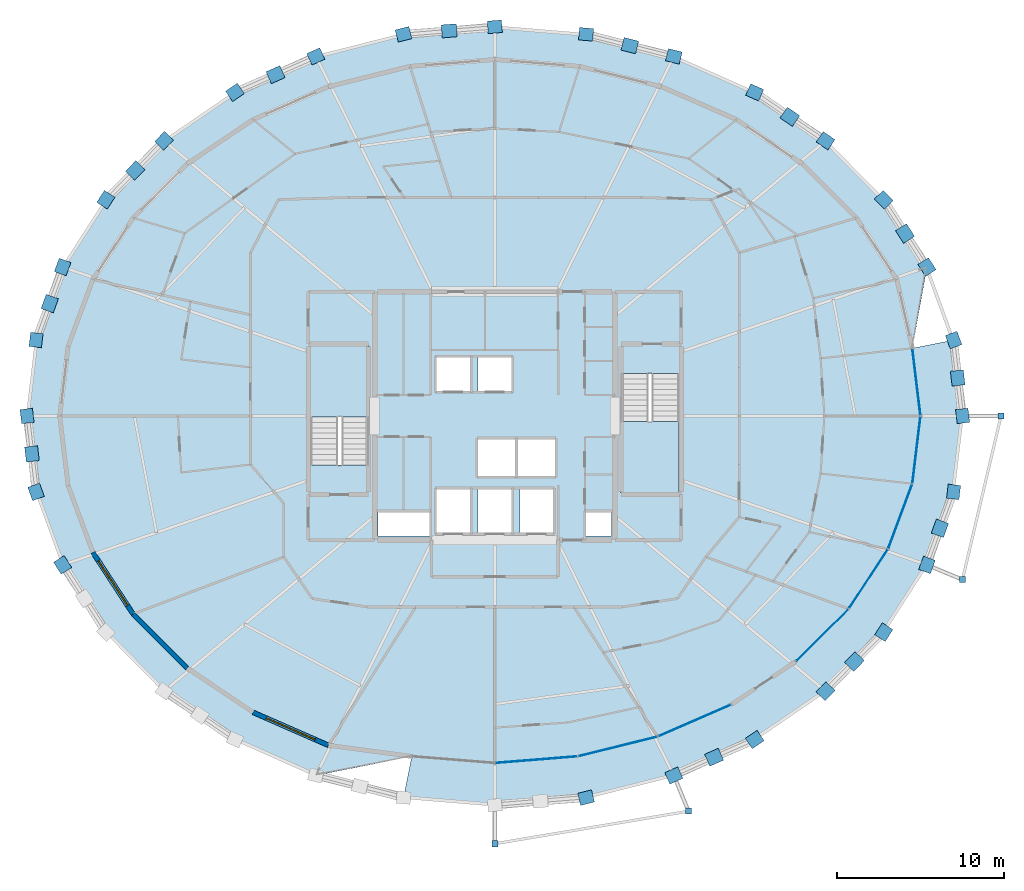
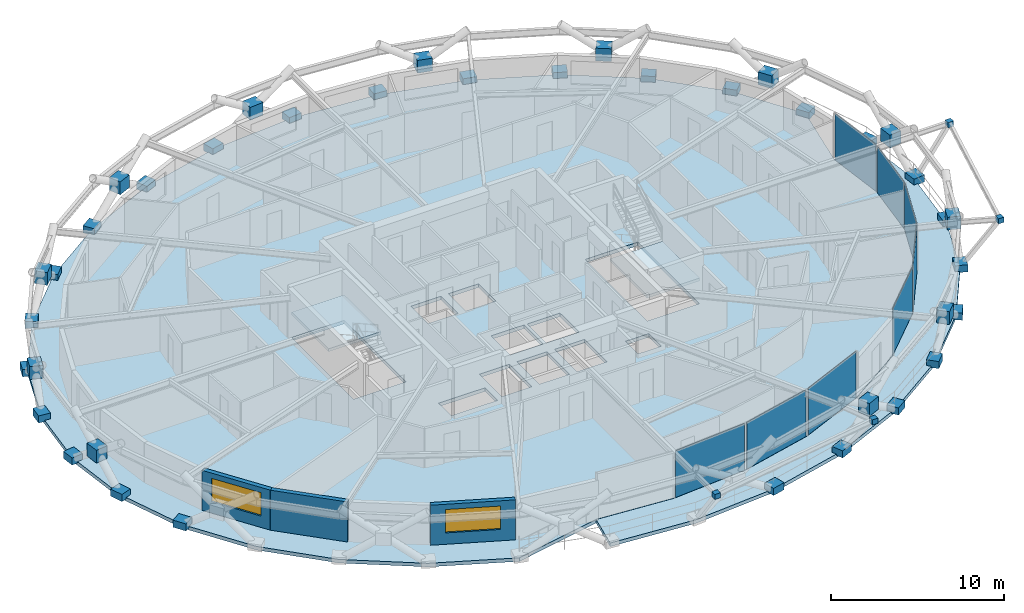
# One storey, part 13 of 20: 50 plates, 4 slabs, 3 walls, 2 windows, 2 openings, 4 elements without a shape of their own.
"""IFC4 building model written with IfcOpenShell, lengths in metres."""

from ifc_helpers import new_model, si_unit, direction, frame, frame_2d, origin, origin_2d, place, context, subcontext, project, spatial, polyline, rectangle, outline, extrude, material, layer, layer_set, type_object, element, fill, aggregate, save


model = new_model("IFC4")

# Units and contexts
model_context = context("Model", 3, precision=1e-05, world=origin(), true_north=direction((0.0, 1.0)))
body_context = subcontext(model_context, "Body", "Model", "MODEL_VIEW")
ifc_project = project(units=[si_unit("LENGTHUNIT", "METRE"), si_unit("AREAUNIT", "SQUARE_METRE"), si_unit("VOLUMEUNIT", "CUBIC_METRE"), si_unit("PLANEANGLEUNIT", "RADIAN"), si_unit("MASSUNIT", "GRAM", prefix="KILO")], contexts=[model_context])

# Site, building, storey
site_placement = place(None, origin())
site = spatial("IfcSite", under=ifc_project, at=site_placement, CompositionType="ELEMENT")
building_placement = place(site_placement, origin())
building = spatial("IfcBuilding", under=site, at=building_placement, Name="Veldorina Hangang Commons", CompositionType="ELEMENT")
storey_placement = place(building_placement, frame((0.0, 0.0, 171.199951171875)))
storey = spatial("IfcBuildingStorey", under=building, at=storey_placement, Name="L44", CompositionType="ELEMENT", Elevation=171.199951171875)

# Curtain wall, plates
ifc_material_1 = material(Name="Glass Low-E Triple IGU", Category="glass")
ifc_layer_1 = layer(ifc_material_1, 0.179931640625)
ifc_layer_set_1 = layer_set([ifc_layer_1], Name="Glass Low-E Triple IGU")
curtain_wall_type = type_object("IfcCurtainWallType", Name="CW-SYS-Z2", PredefinedType="NOTDEFINED", material=ifc_layer_set_1)
curtain_wall_1_placement = place(storey_placement, origin())
curtain_wall_1 = element("IfcCurtainWall", 1, at=curtain_wall_1_placement, inside=storey, type_object=curtain_wall_type, Name="L44 unitised curtain wall CW-L44-R1", PredefinedType="NOTDEFINED")
ifc_layer_2 = layer(ifc_material_1, 0.0400390625)
ifc_layer_set_2 = layer_set([ifc_layer_2], Name="Glass Low-E Triple IGU")
plate_type_1 = type_object("IfcPlateType", Name="CW-PNL-VIS", PredefinedType="CURTAIN_PANEL", material=ifc_layer_set_2)
plate_1_placement = place(storey_placement, frame((34.489990234375, 3.386474609375, 0.01513671875), z_axis=(0.0, 0.0, 1.0), x_axis=(0.996791463777, 0.08004234968, 0.0)))
plate_1 = element("IfcPlate", 2, at=plate_1_placement, type_object=plate_type_1, Name="CW-L44-R1 facet 2 glazed vision panel", PredefinedType="CURTAIN_PANEL", context=body_context, shape_type="SweptSolid", body=[
    extrude(rectangle(XDim=4.816162109375, YDim=0.0400390625, at=origin_2d()), origin(), (0.0, 0.0, 1.0), 3.280029296875),
])
plate_2_placement = place(storey_placement, frame((39.374755859375, 4.1787109375, 0.01513671875), z_axis=(0.0, 0.0, 1.0), x_axis=(0.970750014278, 0.240092502546, 0.0)))
plate_2 = element("IfcPlate", 3, at=plate_2_placement, type_object=plate_type_1, Name="CW-L44-R1 facet 3 glazed vision panel", PredefinedType="CURTAIN_PANEL", context=body_context, shape_type="SweptSolid", body=[
    extrude(rectangle(XDim=4.753173828125, YDim=0.0400390625, at=origin_2d()), origin(), (0.0, 0.0, 1.0), 3.280029296875),
])
plate_3_placement = place(storey_placement, frame((43.975830078125, 5.732421875, 0.01513671875), z_axis=(0.0, 0.0, 1.0), x_axis=(0.916725697371, 0.399517203358, 0.0)))
plate_3 = element("IfcPlate", 4, at=plate_3_placement, type_object=plate_type_1, Name="CW-L44-R1 facet 4 glazed vision panel", PredefinedType="CURTAIN_PANEL", context=body_context, shape_type="SweptSolid", body=[
    extrude(rectangle(XDim=4.63427734375, YDim=0.0400390625, at=origin_2d()), origin(), (0.0, 0.0, 1.0), 3.280029296875),
])
aggregate(curtain_wall_1, [plate_1, plate_2, plate_3])

curtain_wall_2_placement = place(storey_placement, origin())
curtain_wall_2 = element("IfcCurtainWall", 5, at=curtain_wall_2_placement, inside=storey, type_object=curtain_wall_type, Name="L44 unitised curtain wall CW-L44-R2", PredefinedType="NOTDEFINED")
plate_4_placement = place(storey_placement, frame((51.63818359375, 10.859619140625, 0.01513671875), z_axis=(0.0, 0.0, 1.0), x_axis=(0.709410841843, 0.704795188318, 0.0)))
plate_4 = element("IfcPlate", 6, at=plate_4_placement, type_object=plate_type_1, Name="CW-L44-R2 facet 1 glazed vision panel", PredefinedType="CURTAIN_PANEL", context=body_context, shape_type="SweptSolid", body=[
    extrude(rectangle(XDim=4.295166015625, YDim=0.0400390625, at=origin_2d()), origin(), (0.0, 0.0, 1.0), 3.280029296875),
])
plate_5_placement = place(storey_placement, frame((54.405029296875, 14.23583984375, 0.01513671875), z_axis=(0.0, 0.0, 1.0), x_axis=(0.548264037292, 0.836305294383, 0.0)))
plate_5 = element("IfcPlate", 7, at=plate_5_placement, type_object=plate_type_1, Name="CW-L44-R2 facet 2 glazed vision panel", PredefinedType="CURTAIN_PANEL", context=body_context, shape_type="SweptSolid", body=[
    extrude(rectangle(XDim=4.122802734375, YDim=0.0400390625, at=origin_2d()), origin(), (0.0, 0.0, 1.0), 3.280029296875),
])
plate_6_placement = place(storey_placement, frame((56.31103515625, 17.9873046875, 0.01513671875), z_axis=(0.0, 0.0, 1.0), x_axis=(0.348702913177, 0.937233310516, 0.0)))
plate_6 = element("IfcPlate", 8, at=plate_6_placement, type_object=plate_type_1, Name="CW-L44-R2 facet 3 glazed vision panel", PredefinedType="CURTAIN_PANEL", context=body_context, shape_type="SweptSolid", body=[
    extrude(rectangle(XDim=3.986083984375, YDim=0.0400390625, at=origin_2d()), origin(), (0.0, 0.0, 1.0), 3.280029296875),
])
plate_7_placement = place(storey_placement, frame((57.28271484375, 21.9697265625, 0.01513671875), z_axis=(0.0, 0.0, 1.0), x_axis=(0.11992891359, 0.992782481556, 0.0)))
plate_7 = element("IfcPlate", 9, at=plate_7_placement, type_object=plate_type_1, Name="CW-L44-R2 facet 4 glazed vision panel", PredefinedType="CURTAIN_PANEL", context=body_context, shape_type="SweptSolid", body=[
    extrude(rectangle(XDim=3.909912109375, YDim=0.0400390625, at=origin_2d()), origin(), (0.0, 0.0, 1.0), 3.280029296875),
])
plate_8_placement = place(storey_placement, frame((57.28271484375, 26.0302734375, 0.01513671875), z_axis=(0.0, 0.0, 1.0), x_axis=(-0.11992891359, 0.992782481556, 0.0)))
plate_8 = element("IfcPlate", 10, at=plate_8_placement, type_object=plate_type_1, Name="CW-L44-R2 facet 5 glazed vision panel", PredefinedType="CURTAIN_PANEL", context=body_context, shape_type="SweptSolid", body=[
    extrude(rectangle(XDim=3.909912109375, YDim=0.0400390625, at=origin_2d()), origin(), (0.0, 0.0, 1.0), 3.280029296875),
])
aggregate(curtain_wall_2, [plate_4, plate_5, plate_6, plate_7, plate_8])

# Plates
ifc_material_2 = material(Name="Steel SM460-TMC", Category="steel")
ifc_layer_3 = layer(ifc_material_2, 0.035888671875)
ifc_layer_set_3 = layer_set([ifc_layer_3], Name="Steel SM460-TMC")
plate_type_2 = type_object("IfcPlateType", Name="PL-STAR-36", PredefinedType="USERDEFINED", material=ifc_layer_set_3)
plate_9_placement = place(storey_placement, frame((60.0478515625, 24.0, -0.08984375), z_axis=(0.0, 0.0, 1.0), x_axis=(-0.117572062015, 0.993064353521, 0.0)))
element("IfcPlate", 11, at=plate_9_placement, inside=storey, type_object=plate_type_2, Name="L44 diagrid star-node gusset plate 00", ObjectType="GUSSET PLATE", PredefinedType="USERDEFINED", context=body_context, shape_type="SweptSolid", body=[
    extrude(rectangle(XDim=0.85009765625, YDim=0.75, at=origin_2d()), origin(), (0.0, 0.0, 1.0), 0.5),
])
plate_10_placement = place(storey_placement, frame((59.754638671875, 26.2744140625, 1.351318359375), z_axis=(0.0, 0.0, 1.0), x_axis=(-0.117572062015, 0.993064353521, 0.0)))
element("IfcPlate", 12, at=plate_10_placement, inside=storey, type_object=plate_type_2, Name="L44 diagrid X-crossing star-node gusset plate 00", ObjectType="GUSSET PLATE", PredefinedType="USERDEFINED", context=body_context, shape_type="SweptSolid", body=[
    extrude(rectangle(XDim=0.89990234375, YDim=0.780029296875, at=origin_2d()), origin(), (0.0, 0.0, 1.0), 0.89990234375),
])
for number, where, z_axis, x_axis, name in (
    (13, (59.5087890625, 28.552001953125, -0.08984375), (0.0, 0.0, 1.0), (-0.3425777079, 0.939489496508, 0.0), "L44 diagrid star-node gusset plate 01"),
    (14, (57.912841796875, 32.92919921875, -0.08984375), (0.0, 0.0, 1.0), (-0.540548713994, 0.841312717008, 0.0), "L44 diagrid star-node gusset plate 02"),
):
    element("IfcPlate", number, at=place(storey_placement, frame(where, z_axis=z_axis, x_axis=x_axis)), inside=storey, type_object=plate_type_2, Name=name, ObjectType="GUSSET PLATE", PredefinedType="USERDEFINED", context=body_context, shape_type="SweptSolid", body=[
        extrude(rectangle(XDim=0.85009765625, YDim=0.75, at=origin_2d()), origin(), (0.0, 0.0, 1.0), 0.5),
    ])
plate_11_placement = place(storey_placement, frame((56.595947265625, 34.938720703125, 1.3515625), z_axis=(0.0, 0.0, 1.0), x_axis=(-0.540548713994, 0.841312717008, 0.0)))
element("IfcPlate", 15, at=plate_11_placement, inside=storey, type_object=plate_type_2, Name="L44 diagrid X-crossing star-node gusset plate 02", ObjectType="GUSSET PLATE", PredefinedType="USERDEFINED", context=body_context, shape_type="SweptSolid", body=[
    extrude(rectangle(XDim=0.89990234375, YDim=0.780029296875, at=origin_2d()), origin(), (0.0, 0.0, 1.0), 0.89990234375),
])
for number, where, z_axis, x_axis, name in (
    (16, (55.32080078125, 36.96337890625, -0.08984375), (0.0, 0.0, 1.0), (-0.702277314289, 0.711903486321, 0.0), "L44 diagrid star-node gusset plate 03"),
    (17, (51.832763671875, 40.499267578125, -0.08984375), (0.0, 0.0, 1.0), (-0.825881855134, 0.563843206362, 0.0), "L44 diagrid star-node gusset plate 04"),
):
    element("IfcPlate", number, at=place(storey_placement, frame(where, z_axis=z_axis, x_axis=x_axis)), inside=storey, type_object=plate_type_2, Name=name, ObjectType="GUSSET PLATE", PredefinedType="USERDEFINED", context=body_context, shape_type="SweptSolid", body=[
        extrude(rectangle(XDim=0.85009765625, YDim=0.75, at=origin_2d()), origin(), (0.0, 0.0, 1.0), 0.5),
    ])
plate_12_placement = place(storey_placement, frame((49.692626953125, 41.9375, 1.3515625), z_axis=(0.0, 0.0, 1.0), x_axis=(-0.825881855134, 0.563843206362, 0.0)))
element("IfcPlate", 18, at=plate_12_placement, inside=storey, type_object=plate_type_2, Name="L44 diagrid X-crossing star-node gusset plate 04", ObjectType="GUSSET PLATE", PredefinedType="USERDEFINED", context=body_context, shape_type="SweptSolid", body=[
    extrude(rectangle(XDim=0.89990234375, YDim=0.780029296875, at=origin_2d()), origin(), (0.0, 0.0, 1.0), 0.89990234375),
])
for number, where, z_axis, x_axis, name in (
    (19, (47.58251953125, 43.401123046875, -0.08984375), (0.0, 0.0, 1.0), (-0.913737026329, 0.406306099776, 0.0), "L44 diagrid star-node gusset plate 05"),
    (20, (42.7333984375, 45.557373046875, -0.08984375), (0.0, 0.0, 1.0), (-0.969595018763, 0.244715139682, 0.0), "L44 diagrid star-node gusset plate 06"),
):
    element("IfcPlate", number, at=place(storey_placement, frame(where, z_axis=z_axis, x_axis=x_axis)), inside=storey, type_object=plate_type_2, Name=name, ObjectType="GUSSET PLATE", PredefinedType="USERDEFINED", context=body_context, shape_type="SweptSolid", body=[
        extrude(rectangle(XDim=0.85009765625, YDim=0.75, at=origin_2d()), origin(), (0.0, 0.0, 1.0), 0.5),
    ])
plate_13_placement = place(storey_placement, frame((40.095703125, 46.205322265625, 1.3515625), z_axis=(0.0, 0.0, 1.0), x_axis=(-0.969595018763, 0.244715139682, 0.0)))
element("IfcPlate", 21, at=plate_13_placement, inside=storey, type_object=plate_type_2, Name="L44 diagrid X-crossing star-node gusset plate 06", ObjectType="GUSSET PLATE", PredefinedType="USERDEFINED", context=body_context, shape_type="SweptSolid", body=[
    extrude(rectangle(XDim=0.89990234375, YDim=0.780029296875, at=origin_2d()), origin(), (0.0, 0.0, 1.0), 0.89990234375),
])
for number, where, z_axis, x_axis, name in (
    (22, (37.471923828125, 46.88525390625, -0.08984375), (0.0, 0.0, 1.0), (-0.996660229506, 0.081660191777, 0.0), "L44 diagrid star-node gusset plate 07"),
    (23, (32.0, 47.33349609375, -0.08984375), (0.0, 0.0, 1.0), (-0.996660229506, -0.081660191777, 0.0), "L44 diagrid star-node gusset plate 08"),
):
    element("IfcPlate", number, at=place(storey_placement, frame(where, z_axis=z_axis, x_axis=x_axis)), inside=storey, type_object=plate_type_2, Name=name, ObjectType="GUSSET PLATE", PredefinedType="USERDEFINED", context=body_context, shape_type="SweptSolid", body=[
        extrude(rectangle(XDim=0.85009765625, YDim=0.75, at=origin_2d()), origin(), (0.0, 0.0, 1.0), 0.5),
    ])
plate_14_placement = place(storey_placement, frame((29.266357421875, 47.0927734375, 1.3515625), z_axis=(0.0, 0.0, 1.0), x_axis=(-0.996660229506, -0.081660191777, 0.0)))
element("IfcPlate", 24, at=plate_14_placement, inside=storey, type_object=plate_type_2, Name="L44 diagrid X-crossing star-node gusset plate 08", ObjectType="GUSSET PLATE", PredefinedType="USERDEFINED", context=body_context, shape_type="SweptSolid", body=[
    extrude(rectangle(XDim=0.89990234375, YDim=0.780029296875, at=origin_2d()), origin(), (0.0, 0.0, 1.0), 0.89990234375),
])
for number, where, z_axis, x_axis, name in (
    (25, (26.528076171875, 46.88525390625, -0.08984375), (0.0, 0.0, 1.0), (-0.969595018763, -0.244715139682, 0.0), "L44 diagrid star-node gusset plate 09"),
    (26, (21.2666015625, 45.557373046875, -0.08984375), (0.0, 0.0, 1.0), (-0.913737026329, -0.406306099776, 0.0), "L44 diagrid star-node gusset plate 10"),
):
    element("IfcPlate", number, at=place(storey_placement, frame(where, z_axis=z_axis, x_axis=x_axis)), inside=storey, type_object=plate_type_2, Name=name, ObjectType="GUSSET PLATE", PredefinedType="USERDEFINED", context=body_context, shape_type="SweptSolid", body=[
        extrude(rectangle(XDim=0.85009765625, YDim=0.75, at=origin_2d()), origin(), (0.0, 0.0, 1.0), 0.5),
    ])
plate_15_placement = place(storey_placement, frame((18.853271484375, 44.46435546875, 1.3515625), z_axis=(0.0, 0.0, 1.0), x_axis=(-0.913737026329, -0.406306099776, 0.0)))
element("IfcPlate", 27, at=plate_15_placement, inside=storey, type_object=plate_type_2, Name="L44 diagrid X-crossing star-node gusset plate 10", ObjectType="GUSSET PLATE", PredefinedType="USERDEFINED", context=body_context, shape_type="SweptSolid", body=[
    extrude(rectangle(XDim=0.89990234375, YDim=0.780029296875, at=origin_2d()), origin(), (0.0, 0.0, 1.0), 0.89990234375),
])
for number, where, z_axis, x_axis, name in (
    (28, (16.41748046875, 43.401123046875, -0.08984375), (0.0, 0.0, 1.0), (-0.825881855134, -0.563843206362, 0.0), "L44 diagrid star-node gusset plate 11"),
    (29, (12.167236328125, 40.499267578125, -0.08984375), (0.0, 0.0, 1.0), (-0.702277314289, -0.711903486321, 0.0), "L44 diagrid star-node gusset plate 12"),
):
    element("IfcPlate", number, at=place(storey_placement, frame(where, z_axis=z_axis, x_axis=x_axis)), inside=storey, type_object=plate_type_2, Name=name, ObjectType="GUSSET PLATE", PredefinedType="USERDEFINED", context=body_context, shape_type="SweptSolid", body=[
        extrude(rectangle(XDim=0.85009765625, YDim=0.75, at=origin_2d()), origin(), (0.0, 0.0, 1.0), 0.5),
    ])
plate_16_placement = place(storey_placement, frame((10.441650390625, 38.720703125, 1.3515625), z_axis=(0.0, 0.0, 1.0), x_axis=(-0.702277314289, -0.711903486321, 0.0)))
element("IfcPlate", 30, at=plate_16_placement, inside=storey, type_object=plate_type_2, Name="L44 diagrid X-crossing star-node gusset plate 12", ObjectType="GUSSET PLATE", PredefinedType="USERDEFINED", context=body_context, shape_type="SweptSolid", body=[
    extrude(rectangle(XDim=0.89990234375, YDim=0.780029296875, at=origin_2d()), origin(), (0.0, 0.0, 1.0), 0.89990234375),
])
for number, where, z_axis, x_axis, name in (
    (31, (8.67919921875, 36.96337890625, -0.08984375), (0.0, 0.0, 1.0), (-0.540548713994, -0.841312717008, 0.0), "L44 diagrid star-node gusset plate 13"),
    (32, (6.087158203125, 32.92919921875, -0.08984375), (0.0, 0.0, 1.0), (-0.3425777079, -0.939489496508, 0.0), "L44 diagrid star-node gusset plate 14"),
):
    element("IfcPlate", number, at=place(storey_placement, frame(where, z_axis=z_axis, x_axis=x_axis)), inside=storey, type_object=plate_type_2, Name=name, ObjectType="GUSSET PLATE", PredefinedType="USERDEFINED", context=body_context, shape_type="SweptSolid", body=[
        extrude(rectangle(XDim=0.85009765625, YDim=0.75, at=origin_2d()), origin(), (0.0, 0.0, 1.0), 0.5),
    ])
plate_17_placement = place(storey_placement, frame((5.31201171875, 30.73583984375, 1.351318359375), z_axis=(0.0, 0.0, 1.0), x_axis=(-0.3425777079, -0.939489496508, 0.0)))
element("IfcPlate", 33, at=plate_17_placement, inside=storey, type_object=plate_type_2, Name="L44 diagrid X-crossing star-node gusset plate 14", ObjectType="GUSSET PLATE", PredefinedType="USERDEFINED", context=body_context, shape_type="SweptSolid", body=[
    extrude(rectangle(XDim=0.89990234375, YDim=0.780029296875, at=origin_2d()), origin(), (0.0, 0.0, 1.0), 0.89990234375),
])
for number, where, z_axis, x_axis, name in (
    (34, (4.4912109375, 28.552001953125, -0.08984375), (0.0, 0.0, 1.0), (-0.117572062015, -0.993064353521, 0.0), "L44 diagrid star-node gusset plate 15"),
    (35, (3.9521484375, 24.0, -0.08984375), (0.0, 0.0, 1.0), (0.117572062015, -0.993064353521, 0.0), "L44 diagrid star-node gusset plate 16"),
):
    element("IfcPlate", number, at=place(storey_placement, frame(where, z_axis=z_axis, x_axis=x_axis)), inside=storey, type_object=plate_type_2, Name=name, ObjectType="GUSSET PLATE", PredefinedType="USERDEFINED", context=body_context, shape_type="SweptSolid", body=[
        extrude(rectangle(XDim=0.85009765625, YDim=0.75, at=origin_2d()), origin(), (0.0, 0.0, 1.0), 0.5),
    ])
plate_18_placement = place(storey_placement, frame((4.245361328125, 21.7255859375, 1.351318359375), z_axis=(0.0, 0.0, 1.0), x_axis=(0.117572062015, -0.993064353521, 0.0)))
element("IfcPlate", 36, at=plate_18_placement, inside=storey, type_object=plate_type_2, Name="L44 diagrid X-crossing star-node gusset plate 16", ObjectType="GUSSET PLATE", PredefinedType="USERDEFINED", context=body_context, shape_type="SweptSolid", body=[
    extrude(rectangle(XDim=0.89990234375, YDim=0.780029296875, at=origin_2d()), origin(), (0.0, 0.0, 1.0), 0.89990234375),
])
for number, where, z_axis, x_axis, name in (
    (37, (4.4912109375, 19.447998046875, -0.08984375), (0.0, 0.0, 1.0), (0.3425777079, -0.939489496508, 0.0), "L44 diagrid star-node gusset plate 17"),
    (38, (6.087158203125, 15.07080078125, -0.08984375), (0.0, 0.0, 1.0), (0.540548713994, -0.841312717008, 0.0), "L44 diagrid star-node gusset plate 18"),
    (39, (37.471923828125, 1.11474609375, -0.08984375), (0.0, 0.0, 1.0), (0.969595018763, 0.244715139682, 0.0), "L44 diagrid star-node gusset plate 25"),
    (40, (42.7333984375, 2.442626953125, -0.08984375), (0.0, 0.0, 1.0), (0.913737026329, 0.406306099776, 0.0), "L44 diagrid star-node gusset plate 26"),
):
    element("IfcPlate", number, at=place(storey_placement, frame(where, z_axis=z_axis, x_axis=x_axis)), inside=storey, type_object=plate_type_2, Name=name, ObjectType="GUSSET PLATE", PredefinedType="USERDEFINED", context=body_context, shape_type="SweptSolid", body=[
        extrude(rectangle(XDim=0.85009765625, YDim=0.75, at=origin_2d()), origin(), (0.0, 0.0, 1.0), 0.5),
    ])
plate_19_placement = place(storey_placement, frame((45.146728515625, 3.53564453125, 1.3515625), z_axis=(0.0, 0.0, 1.0), x_axis=(0.913737026329, 0.406306099776, 0.0)))
element("IfcPlate", 41, at=plate_19_placement, inside=storey, type_object=plate_type_2, Name="L44 diagrid X-crossing star-node gusset plate 26", ObjectType="GUSSET PLATE", PredefinedType="USERDEFINED", context=body_context, shape_type="SweptSolid", body=[
    extrude(rectangle(XDim=0.89990234375, YDim=0.780029296875, at=origin_2d()), origin(), (0.0, 0.0, 1.0), 0.89990234375),
])
for number, where, z_axis, x_axis, name in (
    (42, (47.58251953125, 4.598876953125, -0.08984375), (0.0, 0.0, 1.0), (0.825881855134, 0.563843206362, 0.0), "L44 diagrid star-node gusset plate 27"),
    (43, (51.832763671875, 7.500732421875, -0.08984375), (0.0, 0.0, 1.0), (0.702277314289, 0.711903486321, 0.0), "L44 diagrid star-node gusset plate 28"),
):
    element("IfcPlate", number, at=place(storey_placement, frame(where, z_axis=z_axis, x_axis=x_axis)), inside=storey, type_object=plate_type_2, Name=name, ObjectType="GUSSET PLATE", PredefinedType="USERDEFINED", context=body_context, shape_type="SweptSolid", body=[
        extrude(rectangle(XDim=0.85009765625, YDim=0.75, at=origin_2d()), origin(), (0.0, 0.0, 1.0), 0.5),
    ])
plate_20_placement = place(storey_placement, frame((53.558349609375, 9.279296875, 1.3515625), z_axis=(0.0, 0.0, 1.0), x_axis=(0.702277314289, 0.711903486321, 0.0)))
element("IfcPlate", 44, at=plate_20_placement, inside=storey, type_object=plate_type_2, Name="L44 diagrid X-crossing star-node gusset plate 28", ObjectType="GUSSET PLATE", PredefinedType="USERDEFINED", context=body_context, shape_type="SweptSolid", body=[
    extrude(rectangle(XDim=0.89990234375, YDim=0.780029296875, at=origin_2d()), origin(), (0.0, 0.0, 1.0), 0.89990234375),
])
for number, where, z_axis, x_axis, name in (
    (45, (55.32080078125, 11.03662109375, -0.08984375), (0.0, 0.0, 1.0), (0.540548713994, 0.841312717008, 0.0), "L44 diagrid star-node gusset plate 29"),
    (46, (57.912841796875, 15.07080078125, -0.08984375), (0.0, 0.0, 1.0), (0.3425777079, 0.939489496508, 0.0), "L44 diagrid star-node gusset plate 30"),
):
    element("IfcPlate", number, at=place(storey_placement, frame(where, z_axis=z_axis, x_axis=x_axis)), inside=storey, type_object=plate_type_2, Name=name, ObjectType="GUSSET PLATE", PredefinedType="USERDEFINED", context=body_context, shape_type="SweptSolid", body=[
        extrude(rectangle(XDim=0.85009765625, YDim=0.75, at=origin_2d()), origin(), (0.0, 0.0, 1.0), 0.5),
    ])
plate_21_placement = place(storey_placement, frame((58.68798828125, 17.26416015625, 1.351318359375), z_axis=(0.0, 0.0, 1.0), x_axis=(0.3425777079, 0.939489496508, 0.0)))
element("IfcPlate", 47, at=plate_21_placement, inside=storey, type_object=plate_type_2, Name="L44 diagrid X-crossing star-node gusset plate 30", ObjectType="GUSSET PLATE", PredefinedType="USERDEFINED", context=body_context, shape_type="SweptSolid", body=[
    extrude(rectangle(XDim=0.89990234375, YDim=0.780029296875, at=origin_2d()), origin(), (0.0, 0.0, 1.0), 0.89990234375),
])
plate_22_placement = place(storey_placement, frame((59.5087890625, 19.447998046875, -0.08984375), z_axis=(0.0, 0.0, 1.0), x_axis=(0.117572062015, 0.993064353521, 0.0)))
element("IfcPlate", 48, at=plate_22_placement, inside=storey, type_object=plate_type_2, Name="L44 diagrid star-node gusset plate 31", ObjectType="GUSSET PLATE", PredefinedType="USERDEFINED", context=body_context, shape_type="SweptSolid", body=[
    extrude(rectangle(XDim=0.85009765625, YDim=0.75, at=origin_2d()), origin(), (0.0, 0.0, 1.0), 0.5),
])
for number, where, z_axis, x_axis, name in (
    (49, (32.0, -1.64990234375, 2.9951171875), (0.0, 0.0, 1.0), (1.0, 0.0, 0.0), "L45 tree balcony 1 strut end gusset A"),
    (50, (43.614501953125, 0.302490234375, 2.9951171875), (0.0, 0.0, 1.0), (1.0, 0.0, 0.0), "L45 tree balcony 1 strut end gusset B"),
    (51, (60.039794921875, 14.18408203125, 2.9951171875), (0.0, 0.0, 1.0), (1.0, 0.0, 0.0), "L45 tree balcony 2 strut end gusset A"),
    (52, (62.35009765625, 24.0, 2.9951171875), (0.0, 0.0, 1.0), (1.0, 0.0, 0.0), "L45 tree balcony 2 strut end gusset B"),
):
    element("IfcPlate", number, at=place(storey_placement, frame(where, z_axis=z_axis, x_axis=x_axis)), inside=storey, type_object=plate_type_2, Name=name, ObjectType="GUSSET PLATE", PredefinedType="USERDEFINED", context=body_context, shape_type="SweptSolid", body=[
        extrude(rectangle(XDim=0.360107421875, YDim=0.360107421875, at=origin_2d()), origin(), (0.0, 0.0, 1.0), 0.360107421875),
    ])

# Slabs
ifc_material_3 = material(Name="Concrete C40/50", Category="concrete")
ifc_layer_4 = layer(ifc_material_3, 0.25)
ifc_layer_set_4 = layer_set([ifc_layer_4], Name="Concrete C40/50")
slab_type_1 = type_object("IfcSlabType", Name="SL-FLR-250", PredefinedType="FLOOR", material=ifc_layer_set_4)
slab_1_placement = place(storey_placement, frame((0.0, 0.0, -0.25)))
element("IfcSlab", 53, at=slab_1_placement, inside=storey, type_object=slab_type_1, Name="L44 tower structural floor slab", PredefinedType="FLOOR", context=body_context, shape_type="SweptSolid", body=[
    extrude(outline(polyline([(57.52783203125, 24.0), (57.037353515625, 28.060546875), (57.912841796875, 32.92919921875), (55.32080078125, 36.96337890625), (51.832763671875, 40.499267578125), (47.58251953125, 43.401123046875), (42.7333984375, 45.557373046875), (37.471923828125, 46.88525390625), (32.0, 47.33349609375), (26.528076171875, 46.88525390625), (21.2666015625, 45.557373046875), (16.41748046875, 43.401123046875), (12.167236328125, 40.499267578125), (8.67919921875, 36.96337890625), (6.087158203125, 32.92919921875), (4.4912109375, 28.552001953125), (3.9521484375, 24.0), (4.4912109375, 19.447998046875), (6.087158203125, 15.07080078125), (8.67919921875, 11.03662109375), (12.167236328125, 7.500732421875), (16.41748046875, 4.598876953125), (21.2666015625, 2.442626953125), (27.019775390625, 3.58642578125), (32.0, 3.1865234375), (36.980224609375, 3.58642578125), (41.76904296875, 4.770751953125), (46.1826171875, 6.694091796875), (50.05078125, 9.28271484375), (53.2255859375, 12.4365234375), (55.584716796875, 16.034912109375), (57.037353515625, 19.939453125), (57.52783203125, 24.0)]), holes=[polyline([(20.949951171875, 21.05810546875), (20.949951171875, 28.199951171875), (24.449951171875, 28.199951171875), (24.449951171875, 21.05810546875), (20.949951171875, 21.05810546875)]), polyline([(43.050048828125, 26.5419921875), (43.050048828125, 19.39990234375), (39.550048828125, 19.39990234375), (39.550048828125, 26.5419921875), (43.050048828125, 26.5419921875)]), polyline([(28.5, 27.5), (30.5, 27.5), (30.5, 25.5), (28.5, 25.5), (28.5, 27.5)]), polyline([(31.0, 27.5), (33.0, 27.5), (33.0, 25.5), (31.0, 25.5), (31.0, 27.5)]), polyline([(31.0, 22.60009765625), (33.199951171875, 22.60009765625), (33.199951171875, 20.39990234375), (31.0, 20.39990234375), (31.0, 22.60009765625)]), polyline([(33.39990234375, 22.60009765625), (35.60009765625, 22.60009765625), (35.60009765625, 20.39990234375), (33.39990234375, 20.39990234375), (33.39990234375, 22.60009765625)]), polyline([(28.5, 19.60009765625), (30.5, 19.60009765625), (30.5, 17.0), (28.5, 17.0), (28.5, 19.60009765625)]), polyline([(31.0, 19.60009765625), (33.0, 19.60009765625), (33.0, 17.0), (31.0, 17.0), (31.0, 19.60009765625)]), polyline([(33.5, 19.60009765625), (35.5, 19.60009765625), (35.5, 17.0), (33.5, 17.0), (33.5, 19.60009765625)]), polyline([(25.0, 18.25), (28.10009765625, 18.25), (28.10009765625, 16.800048828125), (25.0, 16.800048828125), (25.0, 18.25)]), polyline([(37.449951171875, 18.25), (39.0, 18.25), (39.0, 16.800048828125), (37.449951171875, 16.800048828125), (37.449951171875, 18.25)])]), origin(), (0.0, 0.0, 1.0), 0.25),
])
slab_2_placement = place(storey_placement, frame((0.0, 0.0, -0.25)))
element("IfcSlab", 54, at=slab_2_placement, inside=storey, type_object=slab_type_1, Name="L44 sky-garden loggia outdoor slab", PredefinedType="FLOOR", context=body_context, shape_type="SweptSolid", body=[
    extrude(outline(polyline([(59.5087890625, 28.552001953125), (60.0478515625, 24.0), (59.5087890625, 19.447998046875), (57.912841796875, 15.07080078125), (55.32080078125, 11.03662109375), (51.832763671875, 7.500732421875), (47.58251953125, 4.598876953125), (42.7333984375, 2.442626953125), (37.471923828125, 1.11474609375), (32.0, 0.66650390625), (26.528076171875, 1.11474609375), (27.0166015625, 3.570556640625), (27.020751953125, 3.5712890625), (31.998779296875, 3.17138671875), (32.0, 3.17138671875), (32.001220703125, 3.17138671875), (36.9814453125, 3.5712890625), (36.982666015625, 3.571533203125), (36.98388671875, 3.57177734375), (41.772705078125, 4.756103515625), (41.77392578125, 4.756591796875), (41.775146484375, 4.757080078125), (46.1884765625, 6.680419921875), (46.189697265625, 6.680908203125), (46.19091796875, 6.681640625), (50.05908203125, 9.27001953125), (50.060302734375, 9.27099609375), (50.0615234375, 9.27197265625), (53.236083984375, 12.426025390625), (53.2373046875, 12.427001953125), (53.238037109375, 12.428466796875), (55.59716796875, 16.02685546875), (55.597900390625, 16.0283203125), (55.5986328125, 16.02978515625), (57.051513671875, 19.934326171875), (57.052001953125, 19.93603515625), (57.05224609375, 19.937744140625), (57.542724609375, 23.998291015625), (57.542724609375, 24.0), (57.542724609375, 24.001708984375), (57.052490234375, 28.06005859375), (57.052978515625, 28.063720703125), (59.5087890625, 28.552001953125)])), origin(), (0.0, 0.0, 1.0), 0.25),
])

# Stair, slab
stair_type = type_object("IfcStairType", Name="STR-DOG-1650-20R", PredefinedType="HALF_TURN_STAIR", material=ifc_material_3)
stair_1_placement = place(storey_placement, origin())
stair_1 = element("IfcStair", 55, at=stair_1_placement, inside=storey, type_object=stair_type, Name="L44 Exit stair ST-1", PredefinedType="HALF_TURN_STAIR")
ifc_layer_5 = layer(ifc_material_3, 0.199951171875)
ifc_layer_set_5 = layer_set([ifc_layer_5], Name="Concrete C40/50")
slab_type_2 = type_object("IfcSlabType", Name="SL-LND-200", PredefinedType="LANDING", material=ifc_layer_set_5)
slab_3_placement = place(storey_placement, frame((0.0, 0.0, 1.60009765625)))
slab_3 = element("IfcSlab", 56, at=slab_3_placement, type_object=slab_type_2, Name="ST-1 landing 1", PredefinedType="LANDING", context=body_context, shape_type="SweptSolid", body=[
    extrude(outline(polyline([(24.449951171875, 23.929931640625), (24.449951171875, 28.199951171875), (20.949951171875, 28.199951171875), (20.949951171875, 23.929931640625), (24.449951171875, 23.929931640625)])), origin(), (0.0, 0.0, 1.0), 0.199951171875),
])
aggregate(stair_1, [slab_3])

stair_2_placement = place(storey_placement, origin())
stair_2 = element("IfcStair", 57, at=stair_2_placement, inside=storey, type_object=stair_type, Name="L44 Exit stair ST-2", PredefinedType="HALF_TURN_STAIR")
slab_4_placement = place(storey_placement, frame((0.0, 0.0, 1.60009765625)))
slab_4 = element("IfcSlab", 58, at=slab_4_placement, type_object=slab_type_2, Name="ST-2 landing 1", PredefinedType="LANDING", context=body_context, shape_type="SweptSolid", body=[
    extrude(outline(polyline([(39.550048828125, 23.669921875), (39.550048828125, 19.39990234375), (43.050048828125, 19.39990234375), (43.050048828125, 23.669921875), (39.550048828125, 23.669921875)])), origin(), (0.0, 0.0, 1.0), 0.199951171875),
])
aggregate(stair_2, [slab_4])

# Wall, opening, window
ifc_material_4 = material(Name="Stone Roman Travertine", Category="masonry")
ifc_layer_6 = layer(ifc_material_4, 0.280029296875)
ifc_layer_set_6 = layer_set([ifc_layer_6], Name="Stone Roman Travertine")
wall_type = type_object("IfcWallType", Name="EW-TRAV-280", PredefinedType="STANDARD", material=ifc_layer_set_6)
wall_1_placement = place(storey_placement, frame((7.89794921875, 15.82080078125, 0.0), z_axis=(0.0, 0.0, 1.0), x_axis=(0.546411241489, -0.837517017841, 0.0)))
wall_1 = element("IfcWall", 59, at=wall_1_placement, inside=storey, type_object=wall_type, Name="L44 travertine facade wall 18", PredefinedType="STANDARD", context=body_context, shape_type="SweptSolid", body=[
    extrude(rectangle(XDim=4.412109375, YDim=0.280029296875, at=frame_2d((2.2060546875, 0.0))), origin(), (0.0, 0.0, 1.0), 2.820068359375),
])
opening_1_placement = place(wall_1_placement, frame((0.60595703125, 0.0, 0.800048828125)))
opening_1 = element("IfcOpeningElement", 60, at=opening_1_placement, cuts=wall_1, Name="Opening W-01", PredefinedType="OPENING", context=body_context, shape_type="SweptSolid", body=[
    extrude(rectangle(XDim=3.199951171875, YDim=1.64990234375, at=frame_2d((1.60009765625, 0.824951171875))), frame((0.0, 0.14990234375, 0.0), z_axis=(0.0, -1.0, 0.0), x_axis=(1.0, 0.0, 0.0)), (0.0, 0.0, 1.0), 0.300048828125),
])
window_type = type_object("IfcWindowType", Name="WIN-TWR-3200", PartitioningType="SINGLE_PANEL", PredefinedType="WINDOW", material=ifc_material_1)
window_1_placement = place(opening_1_placement, origin())
window_1 = element("IfcWindow", 61, at=window_1_placement, inside=storey, type_object=window_type, Name="L44 facade window 18", OverallHeight=1.64990234375, OverallWidth=3.199951171875, PartitioningType="SINGLE_PANEL", PredefinedType="WINDOW", context=body_context, shape_type="SweptSolid", body=[
    extrude(rectangle(XDim=3.199951171875, YDim=1.64990234375, at=frame_2d((1.60009765625, 0.824951171875))), frame((0.0, 0.030029296875, 0.0), z_axis=(0.0, -1.0, 0.0), x_axis=(1.0, 0.0, 0.0)), (0.0, 0.0, 1.0), 0.06005859375),
])
fill(opening_1, window_1)

# Wall
wall_2_placement = place(storey_placement, frame((10.308837890625, 12.12548828125, 0.0), z_axis=(0.0, 0.0, 1.0), x_axis=(0.707692376563, -0.706520700443, 0.0)))
element("IfcWall", 62, at=wall_2_placement, inside=storey, type_object=wall_type, Name="L44 travertine facade wall 19", PredefinedType="STANDARD", context=body_context, shape_type="SweptSolid", body=[
    extrude(rectangle(XDim=4.584228515625, YDim=0.280029296875, at=frame_2d((2.2919921875, 0.0))), origin(), (0.0, 0.0, 1.0), 2.820068359375),
])

# Wall, opening, window
wall_3_placement = place(storey_placement, frame((17.50634765625, 6.228515625, 0.0), z_axis=(0.0, 0.0, 1.0), x_axis=(0.916018444192, -0.401136148832, 0.0)))
wall_3 = element("IfcWall", 63, at=wall_3_placement, inside=storey, type_object=wall_type, Name="L44 travertine facade wall 21", PredefinedType="STANDARD", context=body_context, shape_type="SweptSolid", body=[
    extrude(rectangle(XDim=4.923828125, YDim=0.280029296875, at=frame_2d((2.4619140625, 0.0))), origin(), (0.0, 0.0, 1.0), 2.820068359375),
])
opening_2_placement = place(wall_3_placement, frame((0.86181640625, 0.0, 0.800048828125)))
opening_2 = element("IfcOpeningElement", 64, at=opening_2_placement, cuts=wall_3, Name="Opening W-01", PredefinedType="OPENING", context=body_context, shape_type="SweptSolid", body=[
    extrude(rectangle(XDim=3.199951171875, YDim=1.64990234375, at=frame_2d((1.60009765625, 0.824951171875))), frame((0.0, 0.14990234375, 0.0), z_axis=(0.0, -1.0, 0.0), x_axis=(1.0, 0.0, 0.0)), (0.0, 0.0, 1.0), 0.300048828125),
])
window_2_placement = place(opening_2_placement, origin())
window_2 = element("IfcWindow", 65, at=window_2_placement, inside=storey, type_object=window_type, Name="L44 facade window 21", OverallHeight=1.64990234375, OverallWidth=3.199951171875, PartitioningType="SINGLE_PANEL", PredefinedType="WINDOW", context=body_context, shape_type="SweptSolid", body=[
    extrude(rectangle(XDim=3.199951171875, YDim=1.64990234375, at=frame_2d((1.60009765625, 0.824951171875))), frame((0.0, 0.030029296875, 0.0), z_axis=(0.0, -1.0, 0.0), x_axis=(1.0, 0.0, 0.0)), (0.0, 0.0, 1.0), 0.06005859375),
])
fill(opening_2, window_2)

save(model, "model.ifc")
